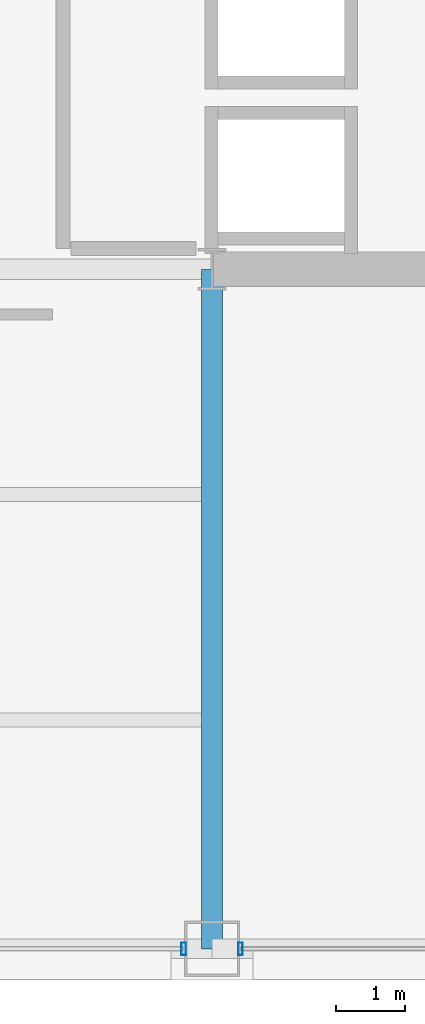
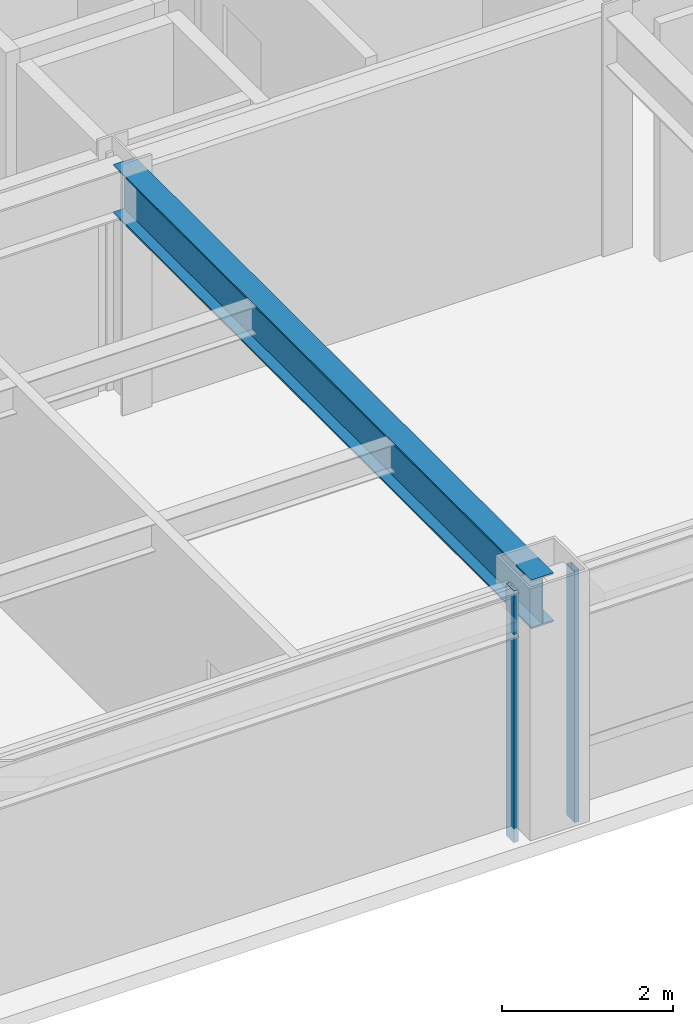
# One storey, part 6 of 29: 2 members, 1 beam, 2 elements without a shape of their own.
"""IFC4 building model written with IfcOpenShell, lengths in metres."""

from ifc_helpers import new_model, si_unit, direction, frame, origin, origin_2d, place, context, subcontext, project, spatial, hollow_rectangle, i_section, extrude, material, layer, layer_set, material_profile, profile_set, type_object, element, aggregate, save


model = new_model("IFC4")

# Units and contexts
model_context = context("Model", 3, precision=1e-05, world=origin(), true_north=direction((0.0, 1.0)))
body_context = subcontext(model_context, "Body", "Model", "MODEL_VIEW")
ifc_project = project(units=[si_unit("LENGTHUNIT", "METRE"), si_unit("AREAUNIT", "SQUARE_METRE"), si_unit("VOLUMEUNIT", "CUBIC_METRE"), si_unit("PLANEANGLEUNIT", "RADIAN"), si_unit("MASSUNIT", "GRAM", prefix="KILO")], contexts=[model_context])

# Site, building, storey
site_placement = place(None, origin())
site = spatial("IfcSite", under=ifc_project, at=site_placement, CompositionType="ELEMENT")
building_placement = place(site_placement, origin())
building = spatial("IfcBuilding", under=site, at=building_placement, Name="Brelmoor Portico Tower", CompositionType="ELEMENT")
storey_placement = place(building_placement, frame((0.0, 0.0, 135.0)))
storey = spatial("IfcBuildingStorey", under=building, at=storey_placement, Name="L35", CompositionType="ELEMENT", Elevation=135.0)

# Beam
ifc_material_1 = material(Name="Steel Q355B", Category="steel")
ifc_material_profile_1 = material_profile(ifc_material_1, i_section(OverallWidth=0.300048828125, OverallDepth=0.699951171875, WebThickness=0.012939453125, FlangeThickness=0.02392578125, at=origin_2d()), Name="HN 700x300x13x24")
ifc_profile_set_1 = profile_set([ifc_material_profile_1], Name="Steel Q355B")
beam_type = type_object("IfcBeamType", Name="BM-PG-700", PredefinedType="BEAM", material=ifc_profile_set_1)
beam_placement = place(storey_placement, frame((8.050048828125, -19.550048828125, 3.050048828125), z_axis=(0.0, 1.0, 0.0), x_axis=(-1.0, 0.0, 0.0)))
element("IfcBeam", 1, at=beam_placement, inside=storey, type_object=beam_type, Name="L35 Primary Floor Girder PG-08", PredefinedType="BEAM", context=body_context, shape_type="SweptSolid", body=[
    extrude(i_section(OverallWidth=0.300048828125, OverallDepth=0.699951171875, WebThickness=0.012939453125, FlangeThickness=0.02392578125, at=origin_2d()), origin(), (0.0, 0.0, 1.0), 9.800048828125),
])

# Curtain wall, member
ifc_material_2 = material(Name="Anodised Aluminium Alloy 6063-T6", Category="aluminium")
ifc_layer_1 = layer(ifc_material_2, 0.179931640625)
ifc_layer_set_1 = layer_set([ifc_layer_1], Name="Anodised Aluminium Alloy 6063-T6")
curtain_wall_type_1 = type_object("IfcCurtainWallType", Name="CW-TOWER-Z2-XB", PredefinedType="NOTDEFINED", material=ifc_layer_set_1)
curtain_wall_1_placement = place(storey_placement, origin())
curtain_wall_1 = element("IfcCurtainWall", 2, at=curtain_wall_1_placement, inside=storey, type_object=curtain_wall_type_1, Name="L35 Curtain Wall CW-L35-01-3", PredefinedType="NOTDEFINED")
ifc_material_profile_2 = material_profile(ifc_material_2, hollow_rectangle(XDim=0.06494140625, YDim=0.179931640625, WallThickness=0.00390625, at=origin_2d()), Name="ALU MULLION 65x180")
ifc_profile_set_2 = profile_set([ifc_material_profile_2], Name="Anodised Aluminium Alloy 6063-T6")
member_type = type_object("IfcMemberType", Name="MB-CW-MULL-180", PredefinedType="MULLION", material=ifc_profile_set_2)
member_1_placement = place(storey_placement, frame((7.639892578125, -19.550048828125, -0.199951171875), z_axis=(0.0, 0.0, 1.0), x_axis=(1.0, 0.0, 0.0)))
member_1 = element("IfcMember", 3, at=member_1_placement, type_object=member_type, Name="CW-L35-01-3 Mullion 01", PredefinedType="MULLION", context=body_context, shape_type="SweptSolid", body=[
    extrude(hollow_rectangle(XDim=0.06494140625, YDim=0.179931640625, WallThickness=0.00390625, at=origin_2d()), origin(), (0.0, 0.0, 1.0), 3.599853515625),
])
aggregate(curtain_wall_1, [member_1])

ifc_layer_2 = layer(ifc_material_2, 0.179931640625)
ifc_layer_set_2 = layer_set([ifc_layer_2], Name="Anodised Aluminium Alloy 6063-T6")
curtain_wall_type_2 = type_object("IfcCurtainWallType", Name="CW-TOWER-Z2", PredefinedType="NOTDEFINED", material=ifc_layer_set_2)
curtain_wall_2_placement = place(storey_placement, origin())
curtain_wall_2 = element("IfcCurtainWall", 4, at=curtain_wall_2_placement, inside=storey, type_object=curtain_wall_type_2, Name="L35 Curtain Wall CW-L35-01-4", PredefinedType="NOTDEFINED")
member_2_placement = place(storey_placement, frame((8.4599609375, -19.550048828125, -0.199951171875), z_axis=(0.0, 0.0, 1.0), x_axis=(1.0, 0.0, 0.0)))
member_2 = element("IfcMember", 5, at=member_2_placement, type_object=member_type, Name="CW-L35-01-4 Mullion 00", PredefinedType="MULLION", context=body_context, shape_type="SweptSolid", body=[
    extrude(hollow_rectangle(XDim=0.06494140625, YDim=0.179931640625, WallThickness=0.00390625, at=origin_2d()), origin(), (0.0, 0.0, 1.0), 3.599853515625),
])
aggregate(curtain_wall_2, [member_2])

save(model, "model.ifc")
